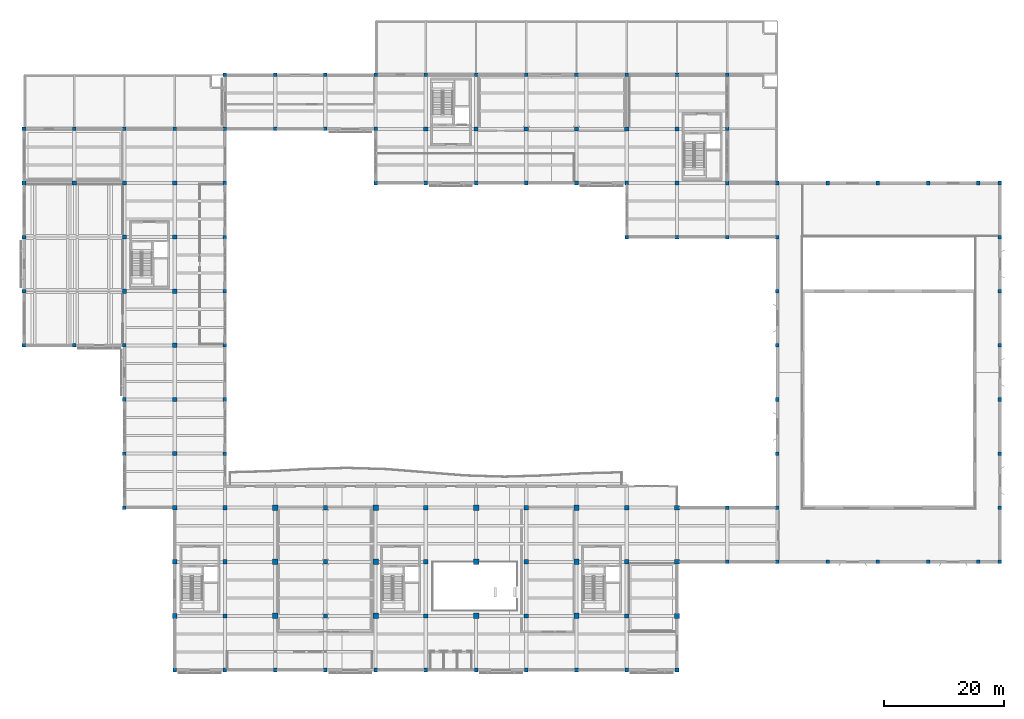
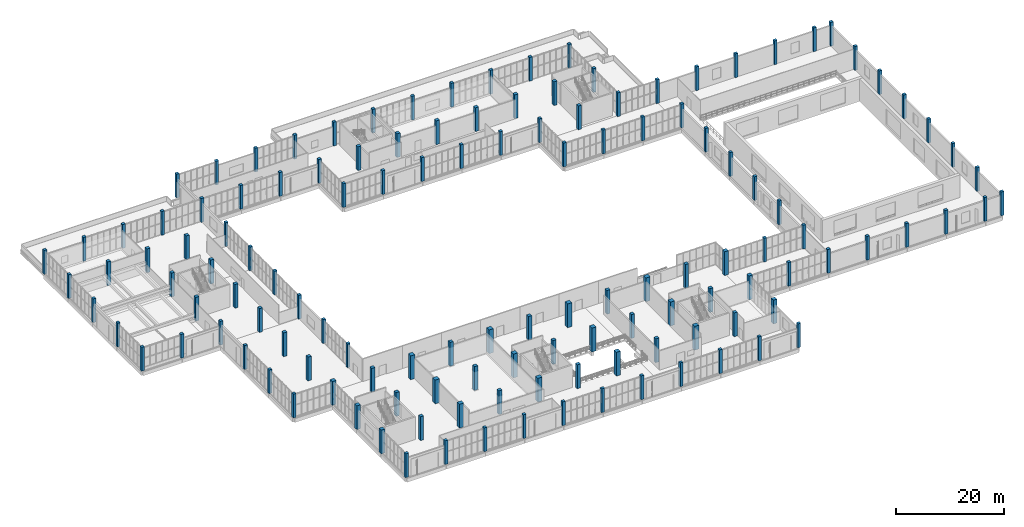
# One storey, part 1 of 132: 132 columns.
"""IFC4 building model written with IfcOpenShell, lengths in metres."""

from ifc_helpers import new_model, si_unit, direction, frame, origin, origin_2d, place, context, subcontext, project, spatial, rectangle, extrude, material, material_profile, profile_set, type_object, element, save


model = new_model("IFC4")

# Units and contexts
model_context = context("Model", 3, precision=1e-05, world=origin(), true_north=direction((0.0, 1.0)))
body_context = subcontext(model_context, "Body", "Model", "MODEL_VIEW")
ifc_project = project(units=[si_unit("LENGTHUNIT", "METRE"), si_unit("AREAUNIT", "SQUARE_METRE"), si_unit("VOLUMEUNIT", "CUBIC_METRE"), si_unit("PLANEANGLEUNIT", "RADIAN"), si_unit("MASSUNIT", "GRAM", prefix="KILO")], contexts=[model_context])

# Site, building, storey
site_placement = place(None, origin())
site = spatial("IfcSite", under=ifc_project, at=site_placement, CompositionType="ELEMENT")
building_placement = place(site_placement, origin())
building = spatial("IfcBuilding", under=site, at=building_placement, Name="Khurvash Pelagic Aquarium", CompositionType="ELEMENT")
storey_placement = place(building_placement, frame((0.0, 0.0, 5.39990234375)))
storey = spatial("IfcBuildingStorey", under=building, at=storey_placement, Name="L01", CompositionType="ELEMENT", Elevation=5.39990234375)

# Columns
ifc_material = material(Name="Concrete C40/50", Category="concrete")
ifc_material_profile_1 = material_profile(ifc_material, rectangle(XDim=0.89990234375, YDim=0.89990234375, at=origin_2d()), Name="RC900X900")
ifc_profile_set_1 = profile_set([ifc_material_profile_1], Name="Concrete C40/50")
column_type_1 = type_object("IfcColumnType", Name="C-01", PredefinedType="COLUMN", material=ifc_profile_set_1)
for number, where, z_axis, x_axis, name in (
    (1, (42.0, 11.64990234375, 0.0), (0.0, 0.0, 1.0), (1.0, 0.0, 0.0), "L01 Column C-01 at 6/C"),
    (2, (42.0, 20.699951171875, 0.0), (0.0, 0.0, 1.0), (1.0, 0.0, 0.0), "L01 Column C-01 at 6/D"),
    (3, (42.0, 29.75, 0.0), (0.0, 0.0, 1.0), (1.0, 0.0, 0.0), "L01 Column C-01 at 6/E"),
    (4, (58.800048828125, 11.64990234375, 0.0), (0.0, 0.0, 1.0), (1.0, 0.0, 0.0), "L01 Column C-01 at 8/C"),
    (5, (58.800048828125, 20.699951171875, 0.0), (0.0, 0.0, 1.0), (1.0, 0.0, 0.0), "L01 Column C-01 at 8/D"),
    (6, (58.800048828125, 29.75, 0.0), (0.0, 0.0, 1.0), (1.0, 0.0, 0.0), "L01 Column C-01 at 8/E"),
    (7, (75.60009765625, 11.64990234375, 0.0), (0.0, 0.0, 1.0), (1.0, 0.0, 0.0), "L01 Column C-01 at 10/C"),
    (8, (75.60009765625, 20.699951171875, 0.0), (0.0, 0.0, 1.0), (1.0, 0.0, 0.0), "L01 Column C-01 at 10/D"),
    (9, (75.60009765625, 29.75, 0.0), (0.0, 0.0, 1.0), (1.0, 0.0, 0.0), "L01 Column C-01 at 10/E"),
    (10, (92.39990234375, 11.64990234375, 0.0), (0.0, 0.0, 1.0), (1.0, 0.0, 0.0), "L01 Column C-01 at 12/C"),
    (11, (92.39990234375, 20.699951171875, 0.0), (0.0, 0.0, 1.0), (1.0, 0.0, 0.0), "L01 Column C-01 at 12/D"),
    (12, (92.39990234375, 29.75, 0.0), (0.0, 0.0, 1.0), (1.0, 0.0, 0.0), "L01 Column C-01 at 12/E"),
):
    element("IfcColumn", number, at=place(storey_placement, frame(where, z_axis=z_axis, x_axis=x_axis)), inside=storey, type_object=column_type_1, Name=name, PredefinedType="COLUMN", context=body_context, shape_type="SweptSolid", body=[
        extrude(rectangle(XDim=0.89990234375, YDim=0.89990234375, at=origin_2d()), origin(), (0.0, 0.0, 1.0), 5.400146484375),
    ])
ifc_material_profile_2 = material_profile(ifc_material, rectangle(XDim=0.699951171875, YDim=0.699951171875, at=origin_2d()), Name="RC700X700")
ifc_profile_set_2 = profile_set([ifc_material_profile_2], Name="Concrete C40/50")
column_type_2 = type_object("IfcColumnType", Name="C-03", PredefinedType="COLUMN", material=ifc_profile_set_2)
for number, where, z_axis, x_axis, name in (
    (13, (8.39990234375, 84.050048828125, 0.0), (0.0, 0.0, 1.0), (1.0, 0.0, 0.0), "L01 Column C-03 at 2/L"),
    (14, (16.800048828125, 65.949951171875, 0.0), (0.0, 0.0, 1.0), (1.0, 0.0, 0.0), "L01 Column C-03 at 3/J"),
    (15, (16.800048828125, 75.0, 0.0), (0.0, 0.0, 1.0), (1.0, 0.0, 0.0), "L01 Column C-03 at 3/K"),
    (16, (16.800048828125, 84.050048828125, 0.0), (0.0, 0.0, 1.0), (1.0, 0.0, 0.0), "L01 Column C-03 at 3/L"),
    (17, (25.199951171875, 38.800048828125, 0.0), (0.0, 0.0, 1.0), (1.0, 0.0, 0.0), "L01 Column C-03 at 4/F"),
    (18, (25.199951171875, 47.85009765625, 0.0), (0.0, 0.0, 1.0), (1.0, 0.0, 0.0), "L01 Column C-03 at 4/G"),
    (19, (25.199951171875, 56.89990234375, 0.0), (0.0, 0.0, 1.0), (1.0, 0.0, 0.0), "L01 Column C-03 at 4/H"),
    (20, (25.199951171875, 65.949951171875, 0.0), (0.0, 0.0, 1.0), (1.0, 0.0, 0.0), "L01 Column C-03 at 4/J"),
    (21, (25.199951171875, 75.0, 0.0), (0.0, 0.0, 1.0), (1.0, 0.0, 0.0), "L01 Column C-03 at 4/K"),
    (22, (25.199951171875, 84.050048828125, 0.0), (0.0, 0.0, 1.0), (1.0, 0.0, 0.0), "L01 Column C-03 at 4/L"),
    (23, (33.60009765625, 11.64990234375, 0.0), (0.0, 0.0, 1.0), (1.0, 0.0, 0.0), "L01 Column C-03 at 5/C"),
    (24, (33.60009765625, 20.699951171875, 0.0), (0.0, 0.0, 1.0), (1.0, 0.0, 0.0), "L01 Column C-03 at 5/D"),
    (25, (33.60009765625, 29.75, 0.0), (0.0, 0.0, 1.0), (1.0, 0.0, 0.0), "L01 Column C-03 at 5/E"),
    (26, (50.39990234375, 11.64990234375, 0.0), (0.0, 0.0, 1.0), (1.0, 0.0, 0.0), "L01 Column C-03 at 7/C"),
    (27, (50.39990234375, 20.699951171875, 0.0), (0.0, 0.0, 1.0), (1.0, 0.0, 0.0), "L01 Column C-03 at 7/D"),
    (28, (50.39990234375, 29.75, 0.0), (0.0, 0.0, 1.0), (1.0, 0.0, 0.0), "L01 Column C-03 at 7/E"),
    (29, (67.199951171875, 11.64990234375, 0.0), (0.0, 0.0, 1.0), (1.0, 0.0, 0.0), "L01 Column C-03 at 9/C"),
    (30, (67.199951171875, 20.699951171875, 0.0), (0.0, 0.0, 1.0), (1.0, 0.0, 0.0), "L01 Column C-03 at 9/D"),
    (31, (67.199951171875, 29.75, 0.0), (0.0, 0.0, 1.0), (1.0, 0.0, 0.0), "L01 Column C-03 at 9/E"),
    (32, (67.199951171875, 93.10009765625, 0.0), (0.0, 0.0, 1.0), (1.0, 0.0, 0.0), "L01 Column C-03 at 9/M"),
    (33, (75.60009765625, 93.10009765625, 0.0), (0.0, 0.0, 1.0), (1.0, 0.0, 0.0), "L01 Column C-03 at 10/M"),
    (34, (84.0, 11.64990234375, 0.0), (0.0, 0.0, 1.0), (1.0, 0.0, 0.0), "L01 Column C-03 at 11/C"),
    (35, (84.0, 20.699951171875, 0.0), (0.0, 0.0, 1.0), (1.0, 0.0, 0.0), "L01 Column C-03 at 11/D"),
    (36, (84.0, 29.75, 0.0), (0.0, 0.0, 1.0), (1.0, 0.0, 0.0), "L01 Column C-03 at 11/E"),
    (37, (84.0, 93.10009765625, 0.0), (0.0, 0.0, 1.0), (1.0, 0.0, 0.0), "L01 Column C-03 at 11/M"),
    (38, (92.39990234375, 93.10009765625, 0.0), (0.0, 0.0, 1.0), (1.0, 0.0, 0.0), "L01 Column C-03 at 12/M"),
    (39, (100.800048828125, 11.64990234375, 0.0), (0.0, 0.0, 1.0), (1.0, 0.0, 0.0), "L01 Column C-03 at 13/C"),
    (40, (100.800048828125, 20.699951171875, 0.0), (0.0, 0.0, 1.0), (1.0, 0.0, 0.0), "L01 Column C-03 at 13/D"),
    (41, (100.800048828125, 29.75, 0.0), (0.0, 0.0, 1.0), (1.0, 0.0, 0.0), "L01 Column C-03 at 13/E"),
    (42, (100.800048828125, 93.10009765625, 0.0), (0.0, 0.0, 1.0), (1.0, 0.0, 0.0), "L01 Column C-03 at 13/M"),
    (43, (109.199951171875, 84.050048828125, 0.0), (0.0, 0.0, 1.0), (1.0, 0.0, 0.0), "L01 Column C-03 at 14/L"),
    (44, (109.199951171875, 93.10009765625, 0.0), (0.0, 0.0, 1.0), (1.0, 0.0, 0.0), "L01 Column C-03 at 14/M"),
):
    element("IfcColumn", number, at=place(storey_placement, frame(where, z_axis=z_axis, x_axis=x_axis)), inside=storey, type_object=column_type_2, Name=name, PredefinedType="COLUMN", context=body_context, shape_type="SweptSolid", body=[
        extrude(rectangle(XDim=0.699951171875, YDim=0.699951171875, at=origin_2d()), origin(), (0.0, 0.0, 1.0), 5.400146484375),
    ])
ifc_material_profile_3 = material_profile(ifc_material, rectangle(XDim=0.800048828125, YDim=0.800048828125, at=origin_2d()), Name="RC800X800")
ifc_profile_set_3 = profile_set([ifc_material_profile_3], Name="Concrete C40/50")
column_type_3 = type_object("IfcColumnType", Name="C-06", PredefinedType="COLUMN", material=ifc_profile_set_3)
for number, where, z_axis, x_axis, name in (
    (45, (25.199951171875, 11.64990234375, 0.0), (0.0, 0.0, 1.0), (1.0, 0.0, 0.0), "L01 Column C-06 at 4/C"),
    (46, (25.199951171875, 20.699951171875, 0.0), (0.0, 0.0, 1.0), (1.0, 0.0, 0.0), "L01 Column C-06 at 4/D"),
    (47, (25.199951171875, 29.75, 0.0), (0.0, 0.0, 1.0), (1.0, 0.0, 0.0), "L01 Column C-06 at 4/E"),
    (48, (109.199951171875, 11.64990234375, 0.0), (0.0, 0.0, 1.0), (1.0, 0.0, 0.0), "L01 Column C-06 at 14/C"),
    (49, (109.199951171875, 20.699951171875, 0.0), (0.0, 0.0, 1.0), (1.0, 0.0, 0.0), "L01 Column C-06 at 14/D"),
    (50, (109.199951171875, 29.75, 0.0), (0.0, 0.0, 1.0), (1.0, 0.0, 0.0), "L01 Column C-06 at 14/E"),
):
    element("IfcColumn", number, at=place(storey_placement, frame(where, z_axis=z_axis, x_axis=x_axis)), inside=storey, type_object=column_type_3, Name=name, PredefinedType="COLUMN", context=body_context, shape_type="SweptSolid", body=[
        extrude(rectangle(XDim=0.800048828125, YDim=0.800048828125, at=origin_2d()), origin(), (0.0, 0.0, 1.0), 5.400146484375),
    ])
ifc_material_profile_4 = material_profile(ifc_material, rectangle(XDim=0.60009765625, YDim=0.60009765625, at=origin_2d()), Name="RC600X600")
ifc_profile_set_4 = profile_set([ifc_material_profile_4], Name="Concrete C40/50")
column_type_4 = type_object("IfcColumnType", Name="C-08", PredefinedType="COLUMN", material=ifc_profile_set_4)
for number, where, z_axis, x_axis, name in (
    (51, (0.0, 56.89990234375, 0.0), (0.0, 0.0, 1.0), (1.0, 0.0, 0.0), "L01 Column C-08 at 1/H"),
    (52, (0.0, 65.949951171875, 0.0), (0.0, 0.0, 1.0), (1.0, 0.0, 0.0), "L01 Column C-08 at 1/J"),
    (53, (0.0, 75.0, 0.0), (0.0, 0.0, 1.0), (1.0, 0.0, 0.0), "L01 Column C-08 at 1/K"),
    (54, (0.0, 84.050048828125, 0.0), (0.0, 0.0, 1.0), (1.0, 0.0, 0.0), "L01 Column C-08 at 1/L"),
    (55, (0.0, 93.10009765625, 0.0), (0.0, 0.0, 1.0), (1.0, 0.0, 0.0), "L01 Column C-08 at 1/M"),
    (56, (8.39990234375, 56.89990234375, 0.0), (0.0, 0.0, 1.0), (1.0, 0.0, 0.0), "L01 Column C-08 at 2/H"),
    (57, (8.39990234375, 93.10009765625, 0.0), (0.0, 0.0, 1.0), (1.0, 0.0, 0.0), "L01 Column C-08 at 2/M"),
    (58, (16.800048828125, 29.75, 0.0), (0.0, 0.0, 1.0), (1.0, 0.0, 0.0), "L01 Column C-08 at 3/E"),
    (59, (16.800048828125, 38.800048828125, 0.0), (0.0, 0.0, 1.0), (1.0, 0.0, 0.0), "L01 Column C-08 at 3/F"),
    (60, (16.800048828125, 47.85009765625, 0.0), (0.0, 0.0, 1.0), (1.0, 0.0, 0.0), "L01 Column C-08 at 3/G"),
    (61, (16.800048828125, 56.89990234375, 0.0), (0.0, 0.0, 1.0), (1.0, 0.0, 0.0), "L01 Column C-08 at 3/H"),
    (62, (16.800048828125, 93.10009765625, 0.0), (0.0, 0.0, 1.0), (1.0, 0.0, 0.0), "L01 Column C-08 at 3/M"),
    (63, (25.199951171875, 2.60009765625, 0.0), (0.0, 0.0, 1.0), (1.0, 0.0, 0.0), "L01 Column C-08 at 4/B"),
    (64, (25.199951171875, 93.10009765625, 0.0), (0.0, 0.0, 1.0), (1.0, 0.0, 0.0), "L01 Column C-08 at 4/M"),
    (65, (33.60009765625, 2.60009765625, 0.0), (0.0, 0.0, 1.0), (1.0, 0.0, 0.0), "L01 Column C-08 at 5/B"),
    (66, (33.60009765625, 38.800048828125, 0.0), (0.0, 0.0, 1.0), (1.0, 0.0, 0.0), "L01 Column C-08 at 5/F"),
    (67, (33.60009765625, 47.85009765625, 0.0), (0.0, 0.0, 1.0), (1.0, 0.0, 0.0), "L01 Column C-08 at 5/G"),
    (68, (33.60009765625, 56.89990234375, 0.0), (0.0, 0.0, 1.0), (1.0, 0.0, 0.0), "L01 Column C-08 at 5/H"),
    (69, (33.60009765625, 65.949951171875, 0.0), (0.0, 0.0, 1.0), (1.0, 0.0, 0.0), "L01 Column C-08 at 5/J"),
    (70, (33.60009765625, 75.0, 0.0), (0.0, 0.0, 1.0), (1.0, 0.0, 0.0), "L01 Column C-08 at 5/K"),
    (71, (33.60009765625, 84.050048828125, 0.0), (0.0, 0.0, 1.0), (1.0, 0.0, 0.0), "L01 Column C-08 at 5/L"),
    (72, (33.60009765625, 93.10009765625, 0.0), (0.0, 0.0, 1.0), (1.0, 0.0, 0.0), "L01 Column C-08 at 5/M"),
    (73, (33.60009765625, 102.14990234375, 0.0), (0.0, 0.0, 1.0), (1.0, 0.0, 0.0), "L01 Column C-08 at 5/N"),
    (74, (42.0, 2.60009765625, 0.0), (0.0, 0.0, 1.0), (1.0, 0.0, 0.0), "L01 Column C-08 at 6/B"),
    (75, (42.0, 93.10009765625, 0.0), (0.0, 0.0, 1.0), (1.0, 0.0, 0.0), "L01 Column C-08 at 6/M"),
    (76, (42.0, 102.14990234375, 0.0), (0.0, 0.0, 1.0), (1.0, 0.0, 0.0), "L01 Column C-08 at 6/N"),
    (77, (50.39990234375, 2.60009765625, 0.0), (0.0, 0.0, 1.0), (1.0, 0.0, 0.0), "L01 Column C-08 at 7/B"),
    (78, (50.39990234375, 93.10009765625, 0.0), (0.0, 0.0, 1.0), (1.0, 0.0, 0.0), "L01 Column C-08 at 7/M"),
    (79, (50.39990234375, 102.14990234375, 0.0), (0.0, 0.0, 1.0), (1.0, 0.0, 0.0), "L01 Column C-08 at 7/N"),
    (80, (58.800048828125, 2.60009765625, 0.0), (0.0, 0.0, 1.0), (1.0, 0.0, 0.0), "L01 Column C-08 at 8/B"),
    (81, (58.800048828125, 84.050048828125, 0.0), (0.0, 0.0, 1.0), (1.0, 0.0, 0.0), "L01 Column C-08 at 8/L"),
    (82, (58.800048828125, 93.10009765625, 0.0), (0.0, 0.0, 1.0), (1.0, 0.0, 0.0), "L01 Column C-08 at 8/M"),
    (83, (58.800048828125, 102.14990234375, 0.0), (0.0, 0.0, 1.0), (1.0, 0.0, 0.0), "L01 Column C-08 at 8/N"),
    (84, (67.199951171875, 2.60009765625, 0.0), (0.0, 0.0, 1.0), (1.0, 0.0, 0.0), "L01 Column C-08 at 9/B"),
    (85, (67.199951171875, 84.050048828125, 0.0), (0.0, 0.0, 1.0), (1.0, 0.0, 0.0), "L01 Column C-08 at 9/L"),
    (86, (67.199951171875, 102.14990234375, 0.0), (0.0, 0.0, 1.0), (1.0, 0.0, 0.0), "L01 Column C-08 at 9/N"),
    (87, (75.60009765625, 2.60009765625, 0.0), (0.0, 0.0, 1.0), (1.0, 0.0, 0.0), "L01 Column C-08 at 10/B"),
    (88, (75.60009765625, 84.050048828125, 0.0), (0.0, 0.0, 1.0), (1.0, 0.0, 0.0), "L01 Column C-08 at 10/L"),
    (89, (75.60009765625, 102.14990234375, 0.0), (0.0, 0.0, 1.0), (1.0, 0.0, 0.0), "L01 Column C-08 at 10/N"),
    (90, (84.0, 2.60009765625, 0.0), (0.0, 0.0, 1.0), (1.0, 0.0, 0.0), "L01 Column C-08 at 11/B"),
    (91, (84.0, 84.050048828125, 0.0), (0.0, 0.0, 1.0), (1.0, 0.0, 0.0), "L01 Column C-08 at 11/L"),
    (92, (84.0, 102.14990234375, 0.0), (0.0, 0.0, 1.0), (1.0, 0.0, 0.0), "L01 Column C-08 at 11/N"),
    (93, (92.39990234375, 2.60009765625, 0.0), (0.0, 0.0, 1.0), (1.0, 0.0, 0.0), "L01 Column C-08 at 12/B"),
    (94, (92.39990234375, 84.050048828125, 0.0), (0.0, 0.0, 1.0), (1.0, 0.0, 0.0), "L01 Column C-08 at 12/L"),
    (95, (92.39990234375, 102.14990234375, 0.0), (0.0, 0.0, 1.0), (1.0, 0.0, 0.0), "L01 Column C-08 at 12/N"),
    (96, (100.800048828125, 2.60009765625, 0.0), (0.0, 0.0, 1.0), (1.0, 0.0, 0.0), "L01 Column C-08 at 13/B"),
    (97, (100.800048828125, 75.0, 0.0), (0.0, 0.0, 1.0), (1.0, 0.0, 0.0), "L01 Column C-08 at 13/K"),
    (98, (100.800048828125, 84.050048828125, 0.0), (0.0, 0.0, 1.0), (1.0, 0.0, 0.0), "L01 Column C-08 at 13/L"),
    (99, (100.800048828125, 102.14990234375, 0.0), (0.0, 0.0, 1.0), (1.0, 0.0, 0.0), "L01 Column C-08 at 13/N"),
    (100, (109.199951171875, 2.60009765625, 0.0), (0.0, 0.0, 1.0), (1.0, 0.0, 0.0), "L01 Column C-08 at 14/B"),
    (101, (109.199951171875, 75.0, 0.0), (0.0, 0.0, 1.0), (1.0, 0.0, 0.0), "L01 Column C-08 at 14/K"),
    (102, (109.199951171875, 102.14990234375, 0.0), (0.0, 0.0, 1.0), (1.0, 0.0, 0.0), "L01 Column C-08 at 14/N"),
    (103, (117.60009765625, 20.699951171875, 0.0), (0.0, 0.0, 1.0), (1.0, 0.0, 0.0), "L01 Column C-08 at 15/D"),
    (104, (117.60009765625, 29.75, 0.0), (0.0, 0.0, 1.0), (1.0, 0.0, 0.0), "L01 Column C-08 at 15/E"),
    (105, (117.60009765625, 75.0, 0.0), (0.0, 0.0, 1.0), (1.0, 0.0, 0.0), "L01 Column C-08 at 15/K"),
    (106, (117.60009765625, 84.050048828125, 0.0), (0.0, 0.0, 1.0), (1.0, 0.0, 0.0), "L01 Column C-08 at 15/L"),
    (107, (117.60009765625, 93.10009765625, 0.0), (0.0, 0.0, 1.0), (1.0, 0.0, 0.0), "L01 Column C-08 at 15/M"),
    (108, (117.60009765625, 102.14990234375, 0.0), (0.0, 0.0, 1.0), (1.0, 0.0, 0.0), "L01 Column C-08 at 15/N"),
    (109, (126.0, 20.699951171875, 0.0), (0.0, 0.0, 1.0), (1.0, 0.0, 0.0), "L01 Column C-08 at 16/D"),
    (110, (126.0, 29.75, 0.0), (0.0, 0.0, 1.0), (1.0, 0.0, 0.0), "L01 Column C-08 at 16/E"),
    (111, (126.0, 38.800048828125, 0.0), (0.0, 0.0, 1.0), (1.0, 0.0, 0.0), "L01 Column C-08 at 16/F"),
    (112, (126.0, 47.85009765625, 0.0), (0.0, 0.0, 1.0), (1.0, 0.0, 0.0), "L01 Column C-08 at 16/G"),
    (113, (126.0, 56.89990234375, 0.0), (0.0, 0.0, 1.0), (1.0, 0.0, 0.0), "L01 Column C-08 at 16/H"),
    (114, (126.0, 65.949951171875, 0.0), (0.0, 0.0, 1.0), (1.0, 0.0, 0.0), "L01 Column C-08 at 16/J"),
    (115, (126.0, 75.0, 0.0), (0.0, 0.0, 1.0), (1.0, 0.0, 0.0), "L01 Column C-08 at 16/K"),
    (116, (126.0, 84.050048828125, 0.0), (0.0, 0.0, 1.0), (1.0, 0.0, 0.0), "L01 Column C-08 at 16/L"),
    (117, (134.39990234375, 20.699951171875, 0.0), (0.0, 0.0, 1.0), (1.0, 0.0, 0.0), "L01 Column C-08 at 17/D"),
    (118, (134.39990234375, 84.050048828125, 0.0), (0.0, 0.0, 1.0), (1.0, 0.0, 0.0), "L01 Column C-08 at 17/L"),
    (119, (142.800048828125, 20.699951171875, 0.0), (0.0, 0.0, 1.0), (1.0, 0.0, 0.0), "L01 Column C-08 at 18/D"),
    (120, (142.800048828125, 84.050048828125, 0.0), (0.0, 0.0, 1.0), (1.0, 0.0, 0.0), "L01 Column C-08 at 18/L"),
    (121, (151.199951171875, 20.699951171875, 0.0), (0.0, 0.0, 1.0), (1.0, 0.0, 0.0), "L01 Column C-08 at 19/D"),
    (122, (151.199951171875, 84.050048828125, 0.0), (0.0, 0.0, 1.0), (1.0, 0.0, 0.0), "L01 Column C-08 at 19/L"),
    (123, (159.60009765625, 20.699951171875, 0.0), (0.0, 0.0, 1.0), (1.0, 0.0, 0.0), "L01 Column C-08 at 20/D"),
    (124, (159.60009765625, 84.050048828125, 0.0), (0.0, 0.0, 1.0), (1.0, 0.0, 0.0), "L01 Column C-08 at 20/L"),
    (125, (163.199951171875, 20.699951171875, 0.0), (0.0, 0.0, 1.0), (1.0, 0.0, 0.0), "L01 Column C-08 at 21/D"),
    (126, (163.199951171875, 29.75, 0.0), (0.0, 0.0, 1.0), (1.0, 0.0, 0.0), "L01 Column C-08 at 21/E"),
    (127, (163.199951171875, 38.800048828125, 0.0), (0.0, 0.0, 1.0), (1.0, 0.0, 0.0), "L01 Column C-08 at 21/F"),
    (128, (163.199951171875, 47.85009765625, 0.0), (0.0, 0.0, 1.0), (1.0, 0.0, 0.0), "L01 Column C-08 at 21/G"),
    (129, (163.199951171875, 56.89990234375, 0.0), (0.0, 0.0, 1.0), (1.0, 0.0, 0.0), "L01 Column C-08 at 21/H"),
    (130, (163.199951171875, 65.949951171875, 0.0), (0.0, 0.0, 1.0), (1.0, 0.0, 0.0), "L01 Column C-08 at 21/J"),
    (131, (163.199951171875, 75.0, 0.0), (0.0, 0.0, 1.0), (1.0, 0.0, 0.0), "L01 Column C-08 at 21/K"),
    (132, (163.199951171875, 84.050048828125, 0.0), (0.0, 0.0, 1.0), (1.0, 0.0, 0.0), "L01 Column C-08 at 21/L"),
):
    element("IfcColumn", number, at=place(storey_placement, frame(where, z_axis=z_axis, x_axis=x_axis)), inside=storey, type_object=column_type_4, Name=name, PredefinedType="COLUMN", context=body_context, shape_type="SweptSolid", body=[
        extrude(rectangle(XDim=0.60009765625, YDim=0.60009765625, at=origin_2d()), origin(), (0.0, 0.0, 1.0), 5.400146484375),
    ])

save(model, "model.ifc")
